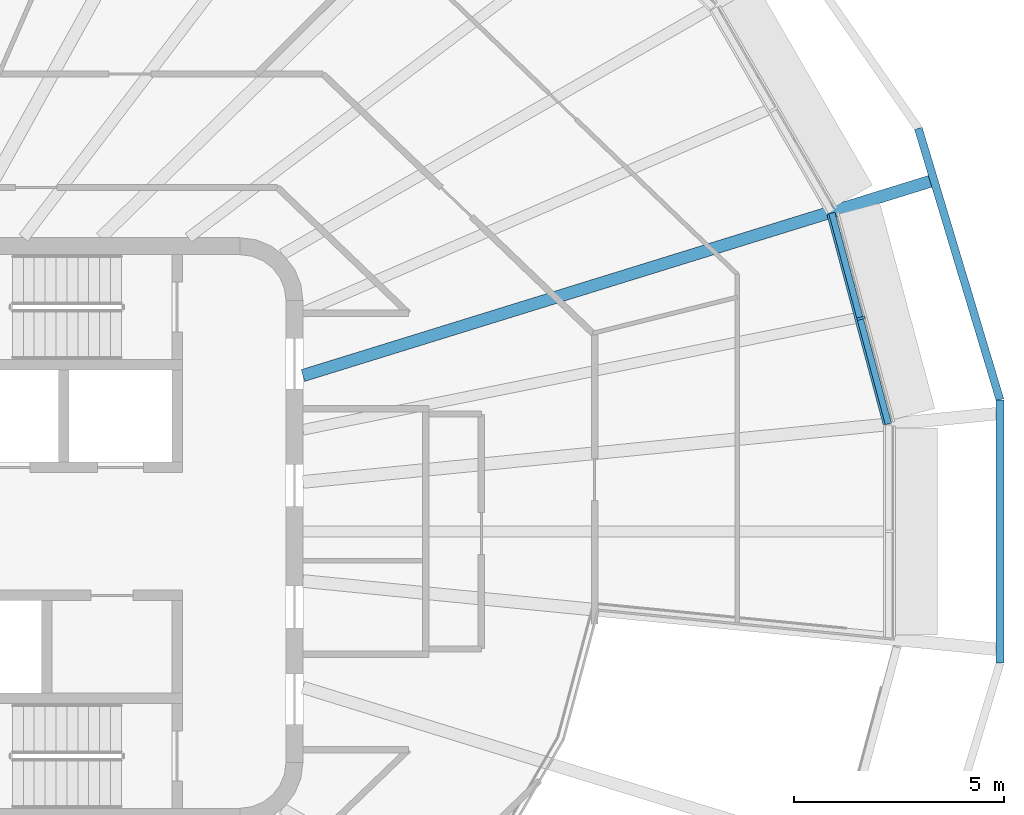
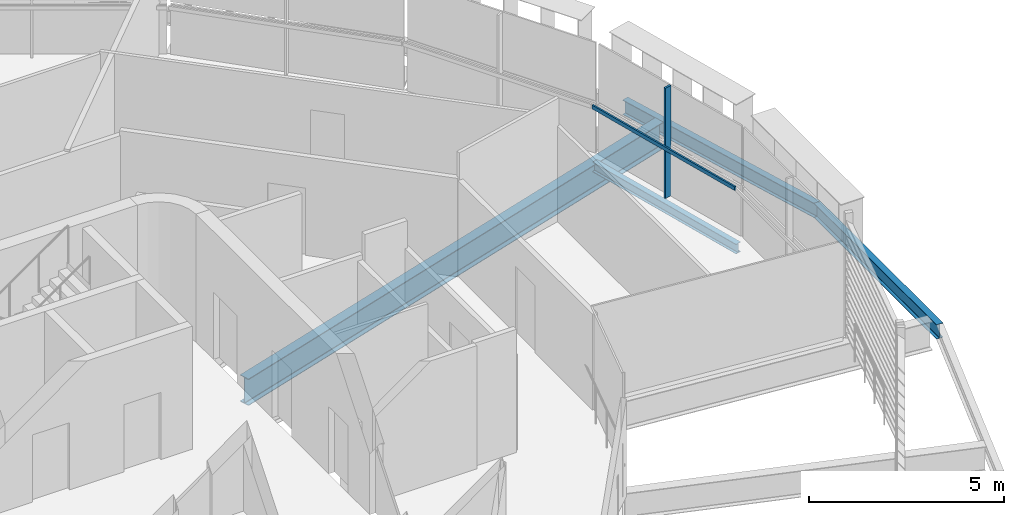
# One storey, part 4 of 18: 4 beams, 2 members, 1 element without a shape of its own.
"""IFC4 building model written with IfcOpenShell, lengths in metres."""

from ifc_helpers import new_model, si_unit, direction, frame, origin, origin_2d, place, context, subcontext, project, spatial, rectangle, i_section, extrude, material, layer, layer_set, material_profile, profile_set, type_object, element, aggregate, save


model = new_model("IFC4")

# Units and contexts
model_context = context("Model", 3, precision=1e-05, world=origin(), true_north=direction((0.0, 1.0)))
body_context = subcontext(model_context, "Body", "Model", "MODEL_VIEW")
ifc_project = project(units=[si_unit("LENGTHUNIT", "METRE"), si_unit("AREAUNIT", "SQUARE_METRE"), si_unit("VOLUMEUNIT", "CUBIC_METRE"), si_unit("PLANEANGLEUNIT", "RADIAN"), si_unit("MASSUNIT", "GRAM", prefix="KILO")], contexts=[model_context])

# Site, building, storey
site_placement = place(None, origin())
site = spatial("IfcSite", under=ifc_project, at=site_placement, CompositionType="ELEMENT")
building_placement = place(site_placement, origin())
building = spatial("IfcBuilding", under=site, at=building_placement, Name="Sahrelin Media Tower", CompositionType="ELEMENT")
storey_placement = place(building_placement, frame((0.0, 0.0, 308.39990234375)))
storey = spatial("IfcBuildingStorey", under=building, at=storey_placement, Name="L68", CompositionType="ELEMENT", Elevation=308.39990234375)

# Beam
ifc_material_1 = material(Name="Steel S355", Category="steel")
ifc_material_profile_1 = material_profile(ifc_material_1, i_section(OverallWidth=0.1650390625, OverallDepth=0.303466796875, WebThickness=0.006103515625, FlangeThickness=0.01025390625, FilletRadius=0.0087890625, at=origin_2d()), Name="UB 305x165x40")
ifc_profile_set_1 = profile_set([ifc_material_profile_1], Name="Steel S355")
beam_type_1 = type_object("IfcBeamType", Name="Edge beam EB2", PredefinedType="BEAM", material=ifc_profile_set_1)
beam_1_placement = place(storey_placement, frame((24.598388671875, 7.58642578125, -0.301513671875), z_axis=(0.258813508265, -0.965927309863, 0.0), x_axis=(0.965927309863, 0.258813508265, 0.0)))
element("IfcBeam", 1, at=beam_1_placement, inside=storey, type_object=beam_type_1, Name="Edge beam L68-20", PredefinedType="BEAM", context=body_context, shape_type="SweptSolid", body=[
    extrude(i_section(OverallWidth=0.1650390625, OverallDepth=0.303466796875, WebThickness=0.006103515625, FlangeThickness=0.01025390625, FilletRadius=0.0087890625, at=origin_2d()), origin(), (0.0, 0.0, 1.0), 5.201416015625),
])

# Curtain wall, member
ifc_material_2 = material(Name="Champagne anodised aluminium 6063-T6", Category="aluminium")
ifc_layer = layer(ifc_material_2, 0.14990234375)
ifc_layer_set = layer_set([ifc_layer], Name="Tower ribbon curtain wall")
curtain_wall_type = type_object("IfcCurtainWallType", Name="Tower ribbon curtain wall", PredefinedType="NOTDEFINED", material=ifc_layer_set)
curtain_wall_placement = place(storey_placement, frame((25.41650390625, 5.113037109375, 0.0), z_axis=(0.0, 0.0, 1.0), x_axis=(1.0, 0.0, 0.0)))
curtain_wall = element("IfcCurtainWall", 2, at=curtain_wall_placement, inside=storey, type_object=curtain_wall_type, Name="L68:CW:L68-01", PredefinedType="NOTDEFINED")
ifc_material_profile_2 = material_profile(ifc_material_2, rectangle(XDim=0.06005859375, YDim=0.199951171875, at=origin_2d()), Name="Mullion 60x200")
ifc_profile_set_2 = profile_set([ifc_material_profile_2], Name="Champagne anodised aluminium 6063-T6")
member_type_1 = type_object("IfcMemberType", Name="Mullion 60x200 CW1C", PredefinedType="MULLION", material=ifc_profile_set_2)
member_1_placement = place(storey_placement, frame((25.300537109375, 5.08203125, 0.0), z_axis=(0.0, 0.0, 1.0), x_axis=(-0.258824102675, 0.965924471102, 0.0)))
member_1 = element("IfcMember", 3, at=member_1_placement, type_object=member_type_1, Name="L68:CWM:L68-01", PredefinedType="MULLION", context=body_context, shape_type="SweptSolid", body=[
    extrude(rectangle(XDim=0.06005859375, YDim=0.199951171875, at=origin_2d()), origin(), (0.0, 0.0, 1.0), 3.44873046875),
])

# Beams
ifc_material_profile_3 = material_profile(ifc_material_1, i_section(OverallWidth=0.291748046875, OverallDepth=0.8349609375, WebThickness=0.013916015625, FlangeThickness=0.018798828125, FilletRadius=0.017822265625, at=origin_2d()), Name="UB 838x292x176")
ifc_profile_set_3 = profile_set([ifc_material_profile_3], Name="Steel S355")
beam_type_2 = type_object("IfcBeamType", Name="Radial primary beam PB10", PredefinedType="BEAM", material=ifc_profile_set_3)
beam_2_placement = place(storey_placement, frame((12.0, 3.71533203125, -0.5673828125), z_axis=(0.955257235415, 0.295776290779, 0.0), x_axis=(-0.295776290779, 0.955257235415, 0.0)))
element("IfcBeam", 4, at=beam_2_placement, inside=storey, type_object=beam_type_2, Name="Radial beam L68-02", PredefinedType="BEAM", context=body_context, shape_type="SweptSolid", body=[
    extrude(i_section(OverallWidth=0.291748046875, OverallDepth=0.8349609375, WebThickness=0.013916015625, FlangeThickness=0.018798828125, FilletRadius=0.017822265625, at=origin_2d()), origin(), (0.0, 0.0, 1.0), 15.64501953125),
])
ifc_material_profile_4 = material_profile(ifc_material_1, i_section(OverallWidth=0.1904296875, OverallDepth=0.45703125, WebThickness=0.009033203125, FlangeThickness=0.014404296875, FilletRadius=0.01025390625, at=origin_2d()), Name="UB 457x191x74")
ifc_profile_set_4 = profile_set([ifc_material_profile_4], Name="Steel S355")
beam_type_3 = type_object("IfcBeamType", Name="Tie chord TC5", PredefinedType="BEAM", material=ifc_profile_set_4)
beam_3_placement = place(storey_placement, frame((28.6103515625, 3.1357421875, -0.37841796875), z_axis=(-0.287994186916, 0.957632157095, 0.0), x_axis=(-0.957632157095, -0.287994186916, 0.0)))
element("IfcBeam", 5, at=beam_3_placement, inside=storey, type_object=beam_type_3, Name="Tie chord L68-01", PredefinedType="BEAM", context=body_context, shape_type="SweptSolid", body=[
    extrude(i_section(OverallWidth=0.1904296875, OverallDepth=0.45703125, WebThickness=0.009033203125, FlangeThickness=0.014404296875, FilletRadius=0.01025390625, at=origin_2d()), origin(), (0.0, 0.0, 1.0), 6.75732421875),
])
beam_4_placement = place(storey_placement, frame((28.6103515625, -3.1357421875, -0.37841796875), z_axis=(0.0, 1.0, 0.0), x_axis=(-1.0, 0.0, 0.0)))
element("IfcBeam", 6, at=beam_4_placement, inside=storey, type_object=beam_type_3, Name="Tie chord L68-24", PredefinedType="BEAM", context=body_context, shape_type="SweptSolid", body=[
    extrude(i_section(OverallWidth=0.1904296875, OverallDepth=0.45703125, WebThickness=0.009033203125, FlangeThickness=0.014404296875, FilletRadius=0.01025390625, at=origin_2d()), origin(), (0.0, 0.0, 1.0), 6.271484375),
])

# Member
ifc_material_profile_5 = material_profile(ifc_material_2, rectangle(XDim=0.050048828125, YDim=0.1201171875, at=origin_2d()), Name="Transom 50x120")
ifc_profile_set_5 = profile_set([ifc_material_profile_5], Name="Champagne anodised aluminium 6063-T6")
member_type_2 = type_object("IfcMemberType", Name="Transom 50x120 CW1C", PredefinedType="USERDEFINED", material=ifc_profile_set_5)
member_2_placement = place(storey_placement, frame((25.848876953125, 2.552734375, 1.60009765625), z_axis=(-0.258823418752, 0.965924654363, 0.0), x_axis=(-0.965924654363, -0.258823418752, 0.0)))
member_2 = element("IfcMember", 7, at=member_2_placement, type_object=member_type_2, Name="L68:CWT:L68-01", ObjectType="TRANSOM", PredefinedType="USERDEFINED", context=body_context, shape_type="SweptSolid", body=[
    extrude(rectangle(XDim=0.050048828125, YDim=0.1201171875, at=origin_2d()), origin(), (0.0, 0.0, 1.0), 5.170166015625),
])

aggregate(curtain_wall, [member_1, member_2])

save(model, "model.ifc")
